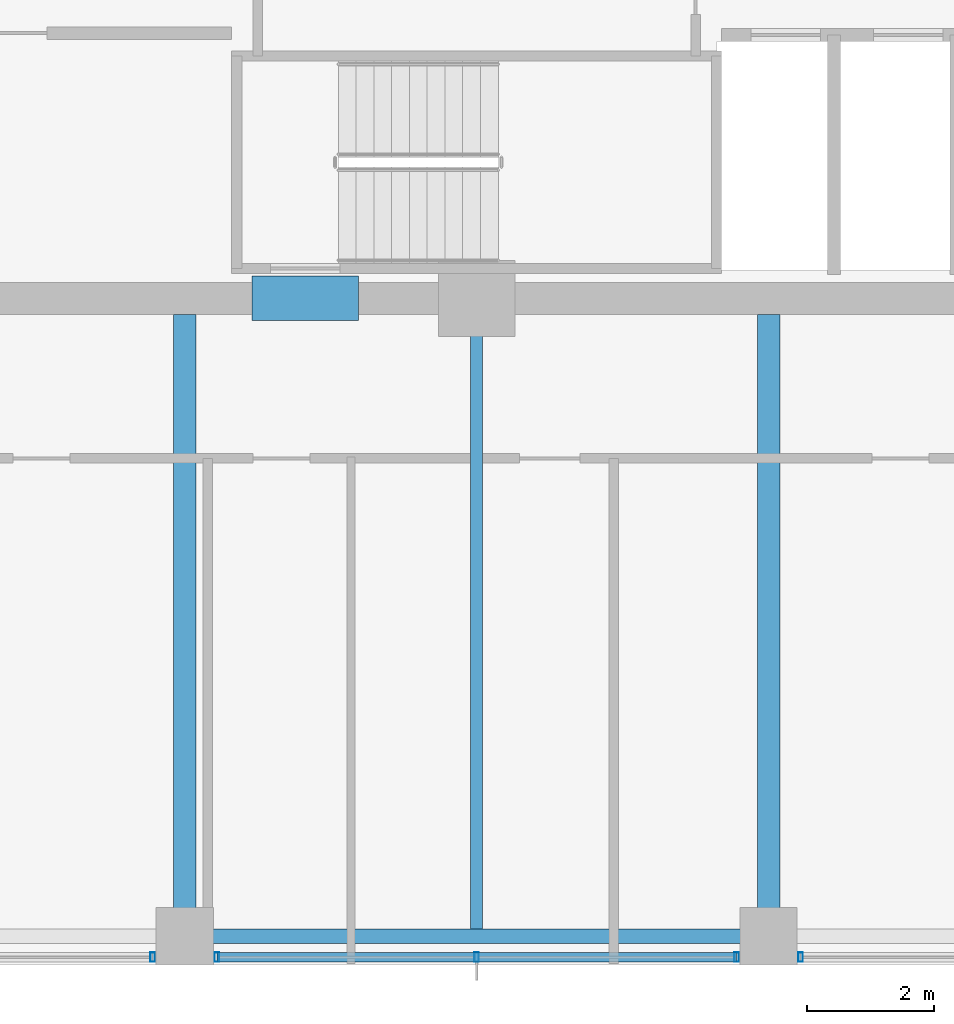
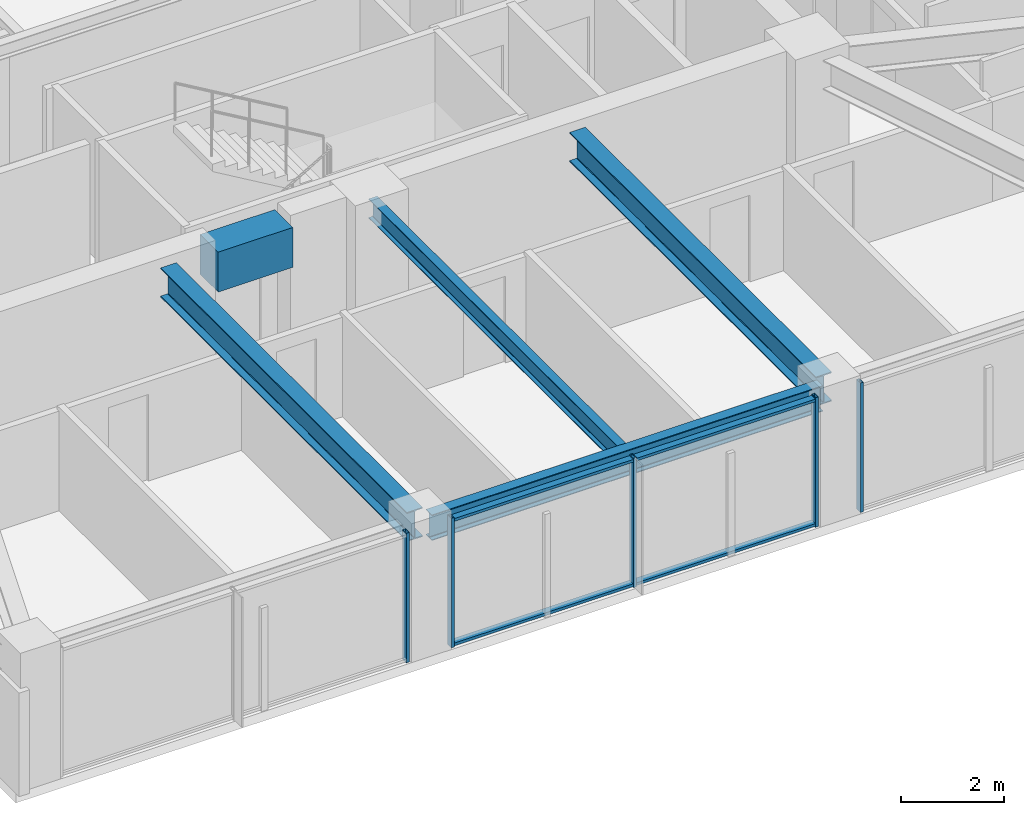
# One storey, part 5 of 34: 7 members, 5 beams, 3 elements without a shape of their own.
"""IFC4 building model written with IfcOpenShell, lengths in metres."""

from ifc_helpers import new_model, si_unit, direction, frame, origin, origin_2d, place, context, subcontext, project, spatial, rectangle, hollow_rectangle, i_section, extrude, material, material_profile, profile_set, type_object, element, aggregate, save


model = new_model("IFC4")

# Units and contexts
model_context = context("Model", 3, precision=1e-05, world=origin(), true_north=direction((0.0, 1.0)))
body_context = subcontext(model_context, "Body", "Model", "MODEL_VIEW")
ifc_project = project(units=[si_unit("LENGTHUNIT", "METRE"), si_unit("AREAUNIT", "SQUARE_METRE"), si_unit("VOLUMEUNIT", "CUBIC_METRE"), si_unit("PLANEANGLEUNIT", "RADIAN"), si_unit("MASSUNIT", "GRAM", prefix="KILO")], contexts=[model_context])

# Site, building, storey
site_placement = place(None, origin())
site = spatial("IfcSite", under=ifc_project, at=site_placement, CompositionType="ELEMENT")
building_placement = place(site_placement, origin())
building = spatial("IfcBuilding", under=site, at=building_placement, Name="Kolvaren Belvedere", CompositionType="ELEMENT")
storey_placement = place(building_placement, frame((0.0, 0.0, 189.89990234375)))
storey = spatial("IfcBuildingStorey", under=building, at=storey_placement, Name="L55", CompositionType="ELEMENT", Elevation=189.89990234375)

# Beams
ifc_material_1 = material(Name="Structural steel ASTM A992 Grade 50", Category="steel")
ifc_material_profile_1 = material_profile(ifc_material_1, i_section(OverallWidth=0.35498046875, OverallDepth=0.696044921875, WebThickness=0.015380859375, FlangeThickness=0.02490234375, FilletRadius=0.02197265625, at=origin_2d()), Name="W27X146")
ifc_profile_set_1 = profile_set([ifc_material_profile_1], Name="Structural steel ASTM A992 Grade 50")
beam_type_1 = type_object("IfcBeamType", Name="BM-GIRD-W27X146", PredefinedType="BEAM", material=ifc_profile_set_1)
for number, where, z_axis, x_axis, name in (
    (1, (4.60009765625, -10.14990234375, 2.732177734375), (0.0, -1.0, 0.0), (1.0, 0.0, 0.0), "L55 South Radial Girder P"),
    (2, (-4.60009765625, -10.14990234375, 2.732177734375), (0.0, -1.0, 0.0), (1.0, 0.0, 0.0), "L55 South Radial Girder M"),
):
    element("IfcBeam", number, at=place(storey_placement, frame(where, z_axis=z_axis, x_axis=x_axis)), inside=storey, type_object=beam_type_1, Name=name, PredefinedType="BEAM", context=body_context, shape_type="SweptSolid", body=[
        extrude(i_section(OverallWidth=0.35498046875, OverallDepth=0.696044921875, WebThickness=0.015380859375, FlangeThickness=0.02490234375, FilletRadius=0.02197265625, at=origin_2d()), origin(), (0.0, 0.0, 1.0), 9.59765625),
    ])
ifc_material_2 = material(Name="Structural steel ASTM A992 Grade 50", Category="steel")
ifc_material_profile_2 = material_profile(ifc_material_2, i_section(OverallWidth=0.19091796875, OverallDepth=0.4599609375, WebThickness=0.010009765625, FlangeThickness=0.01611328125, FilletRadius=0.014892578125, at=origin_2d()), Name="W18X55")
ifc_profile_set_2 = profile_set([ifc_material_profile_2], Name="Structural steel ASTM A992 Grade 50")
beam_type_2 = type_object("IfcBeamType", Name="BM-JOIST-W18X55", PredefinedType="BEAM", material=ifc_profile_set_2)
beam_1_placement = place(storey_placement, frame((0.0, -10.14990234375, 2.85009765625), z_axis=(0.0, -1.0, 0.0), x_axis=(1.0, 0.0, 0.0)))
element("IfcBeam", 3, at=beam_1_placement, inside=storey, type_object=beam_type_2, Name="L55 South Centre Floor Beam", PredefinedType="BEAM", context=body_context, shape_type="SweptSolid", body=[
    extrude(i_section(OverallWidth=0.19091796875, OverallDepth=0.4599609375, WebThickness=0.010009765625, FlangeThickness=0.01611328125, FilletRadius=0.014892578125, at=origin_2d()), origin(), (0.0, 0.0, 1.0), 9.685546875),
])
ifc_material_3 = material(Name="Concrete C60/75", Category="concrete")
ifc_material_profile_3 = material_profile(ifc_material_3, rectangle(XDim=0.699951171875, YDim=0.949951171875, at=origin_2d()), Name="RC 700X950")
ifc_profile_set_3 = profile_set([ifc_material_profile_3], Name="Concrete C60/75")
beam_type_3 = type_object("IfcBeamType", Name="BM-LINT-950", PredefinedType="LINTEL", material=ifc_profile_set_3)
beam_2_placement = place(storey_placement, frame((-3.5400390625, -9.89990234375, 2.60498046875), z_axis=(1.0, 0.0, 0.0), x_axis=(0.0, 1.0, 0.0)))
element("IfcBeam", 4, at=beam_2_placement, inside=storey, type_object=beam_type_3, Name="L55 South Core Coupling Lintel", PredefinedType="LINTEL", context=body_context, shape_type="SweptSolid", body=[
    extrude(rectangle(XDim=0.699951171875, YDim=0.949951171875, at=origin_2d()), origin(), (0.0, 0.0, 1.0), 1.679931640625),
])
ifc_material_4 = material(Name="Structural steel ASTM A992 Grade 50", Category="steel")
ifc_material_profile_4 = material_profile(ifc_material_4, i_section(OverallWidth=0.22900390625, OverallDepth=0.612060546875, WebThickness=0.011962890625, FlangeThickness=0.01953125, FilletRadius=0.01806640625, at=origin_2d()), Name="W24X84")
ifc_profile_set_4 = profile_set([ifc_material_profile_4], Name="Structural steel ASTM A992 Grade 50")
beam_type_4 = type_object("IfcBeamType", Name="BM-SPAN-W24X84", PredefinedType="SPANDREL", material=ifc_profile_set_4)
beam_3_placement = place(storey_placement, frame((-4.3974609375, -19.949951171875, 2.774169921875), z_axis=(1.0, 0.0, 0.0), x_axis=(0.0, 1.0, 0.0)))
element("IfcBeam", 5, at=beam_3_placement, inside=storey, type_object=beam_type_4, Name="L55 Perimeter Spandrel S2-S3", PredefinedType="SPANDREL", context=body_context, shape_type="SweptSolid", body=[
    extrude(i_section(OverallWidth=0.22900390625, OverallDepth=0.612060546875, WebThickness=0.011962890625, FlangeThickness=0.01953125, FilletRadius=0.01806640625, at=origin_2d()), origin(), (0.0, 0.0, 1.0), 8.794921875),
])

# Curtain wall, member
ifc_material_5 = material(Name="Anodised pale-metal aluminium AA 6063-T6", Category="aluminium")
curtain_wall_type = type_object("IfcCurtainWallType", Name="CW-Z5-HIGH", PredefinedType="NOTDEFINED", material=ifc_material_5)
curtain_wall_1_placement = place(storey_placement, origin())
curtain_wall_1 = element("IfcCurtainWall", 6, at=curtain_wall_1_placement, inside=storey, type_object=curtain_wall_type, Name="L55 Unitised Curtain Wall FCW-L55-S-B1", PredefinedType="NOTDEFINED")
ifc_material_6 = material(Name="Anodised pale-metal aluminium AA 6063-T6", Category="aluminium")
ifc_material_profile_5 = material_profile(ifc_material_6, hollow_rectangle(XDim=0.070068359375, YDim=0.14990234375, WallThickness=0.004150390625, at=origin_2d()), Name="ALU-MUL-150X70")
ifc_profile_set_5 = profile_set([ifc_material_profile_5], Name="Anodised pale-metal aluminium AA 6063-T6")
member_type_1 = type_object("IfcMemberType", Name="CW-MUL-150", PredefinedType="MULLION", material=ifc_profile_set_5)
member_1_placement = place(storey_placement, frame((5.10498046875, -20.280029296875, 0.0), z_axis=(0.0, 0.0, 1.0), x_axis=(1.0, 0.0, 0.0)))
member_1 = element("IfcMember", 7, at=member_1_placement, type_object=member_type_1, Name="FCW-L55-S-B1 Unitised Mullion 3", PredefinedType="MULLION", context=body_context, shape_type="SweptSolid", body=[
    extrude(hollow_rectangle(XDim=0.070068359375, YDim=0.14990234375, WallThickness=0.004150390625, at=origin_2d()), origin(), (0.0, 0.0, 1.0), 3.080078125),
])
aggregate(curtain_wall_1, [member_1])

# Curtain wall, members
curtain_wall_2_placement = place(storey_placement, origin())
curtain_wall_2 = element("IfcCurtainWall", 8, at=curtain_wall_2_placement, inside=storey, type_object=curtain_wall_type, Name="L55 Unitised Curtain Wall FCW-L55-S-B2", PredefinedType="NOTDEFINED")
member_2_placement = place(storey_placement, frame((4.094970703125, -20.280029296875, 0.0), z_axis=(0.0, 0.0, 1.0), x_axis=(1.0, 0.0, 0.0)))
member_2 = element("IfcMember", 9, at=member_2_placement, type_object=member_type_1, Name="FCW-L55-S-B2 Unitised Mullion 1", PredefinedType="MULLION", context=body_context, shape_type="SweptSolid", body=[
    extrude(hollow_rectangle(XDim=0.070068359375, YDim=0.14990234375, WallThickness=0.004150390625, at=origin_2d()), origin(), (0.0, 0.0, 1.0), 3.080078125),
])
member_3_placement = place(storey_placement, frame((0.0, -20.280029296875, 0.0), z_axis=(0.0, 0.0, 1.0), x_axis=(1.0, 0.0, 0.0)))
member_3 = element("IfcMember", 10, at=member_3_placement, type_object=member_type_1, Name="FCW-L55-S-B2 Unitised Mullion 2", PredefinedType="MULLION", context=body_context, shape_type="SweptSolid", body=[
    extrude(hollow_rectangle(XDim=0.070068359375, YDim=0.14990234375, WallThickness=0.004150390625, at=origin_2d()), origin(), (0.0, 0.0, 1.0), 3.080078125),
])
member_4_placement = place(storey_placement, frame((-4.094970703125, -20.280029296875, 0.0), z_axis=(0.0, 0.0, 1.0), x_axis=(1.0, 0.0, 0.0)))
member_4 = element("IfcMember", 11, at=member_4_placement, type_object=member_type_1, Name="FCW-L55-S-B2 Unitised Mullion 3", PredefinedType="MULLION", context=body_context, shape_type="SweptSolid", body=[
    extrude(hollow_rectangle(XDim=0.070068359375, YDim=0.14990234375, WallThickness=0.004150390625, at=origin_2d()), origin(), (0.0, 0.0, 1.0), 3.080078125),
])

# Curtain wall, member
curtain_wall_3_placement = place(storey_placement, origin())
curtain_wall_3 = element("IfcCurtainWall", 12, at=curtain_wall_3_placement, inside=storey, type_object=curtain_wall_type, Name="L55 Unitised Curtain Wall FCW-L55-S-B3", PredefinedType="NOTDEFINED")
member_5_placement = place(storey_placement, frame((-5.10498046875, -20.280029296875, 0.0), z_axis=(0.0, 0.0, 1.0), x_axis=(1.0, 0.0, 0.0)))
member_5 = element("IfcMember", 13, at=member_5_placement, type_object=member_type_1, Name="FCW-L55-S-B3 Unitised Mullion 1", PredefinedType="MULLION", context=body_context, shape_type="SweptSolid", body=[
    extrude(hollow_rectangle(XDim=0.070068359375, YDim=0.14990234375, WallThickness=0.004150390625, at=origin_2d()), origin(), (0.0, 0.0, 1.0), 3.080078125),
])
aggregate(curtain_wall_3, [member_5])

# Member
ifc_material_7 = material(Name="Anodised pale-metal aluminium AA 6063-T6", Category="aluminium")
ifc_material_profile_6 = material_profile(ifc_material_7, hollow_rectangle(XDim=0.06494140625, YDim=0.14990234375, WallThickness=0.00390625, at=origin_2d()), Name="ALU-TRN-150X65")
ifc_profile_set_6 = profile_set([ifc_material_profile_6], Name="Anodised pale-metal aluminium AA 6063-T6")
member_type_2 = type_object("IfcMemberType", Name="CW-TRN-150", PredefinedType="USERDEFINED", material=ifc_profile_set_6)
member_6_placement = place(storey_placement, frame((4.094970703125, -20.280029296875, 0.06005859375), z_axis=(-1.0, 0.0, 0.0), x_axis=(0.0, 0.0, 1.0)))
member_6 = element("IfcMember", 14, at=member_6_placement, type_object=member_type_2, Name="FCW-L55-S-B2 Sill Transom", ObjectType="TRANSOM", PredefinedType="USERDEFINED", context=body_context, shape_type="SweptSolid", body=[
    extrude(hollow_rectangle(XDim=0.06494140625, YDim=0.14990234375, WallThickness=0.00390625, at=origin_2d()), origin(), (0.0, 0.0, 1.0), 8.18994140625),
])

member_7_placement = place(storey_placement, frame((4.094970703125, -20.280029296875, 3.02001953125), z_axis=(-1.0, 0.0, 0.0), x_axis=(0.0, 0.0, 1.0)))
member_7 = element("IfcMember", 15, at=member_7_placement, type_object=member_type_2, Name="FCW-L55-S-B2 Head Transom", ObjectType="TRANSOM", PredefinedType="USERDEFINED", context=body_context, shape_type="SweptSolid", body=[
    extrude(hollow_rectangle(XDim=0.06494140625, YDim=0.14990234375, WallThickness=0.00390625, at=origin_2d()), origin(), (0.0, 0.0, 1.0), 8.18994140625),
])

aggregate(curtain_wall_2, [member_2, member_3, member_4, member_6, member_7])

save(model, "model.ifc")
